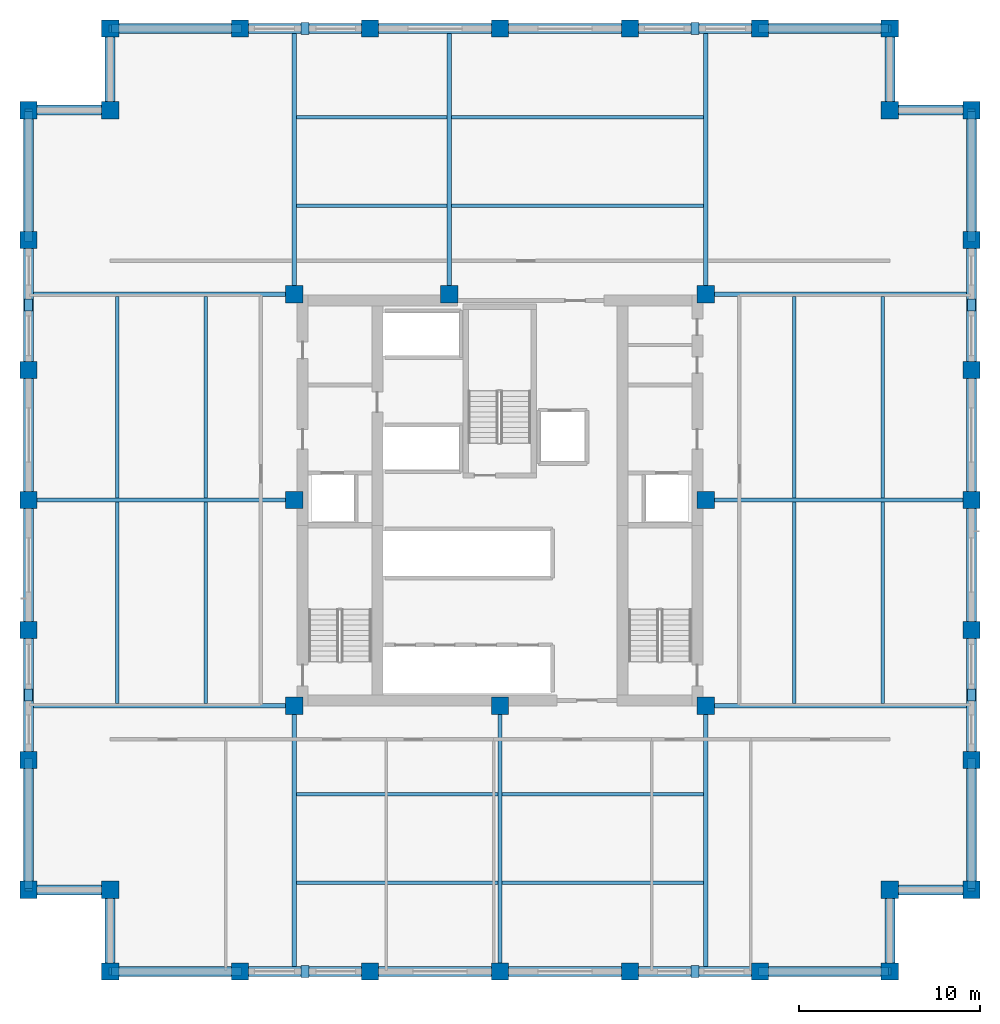
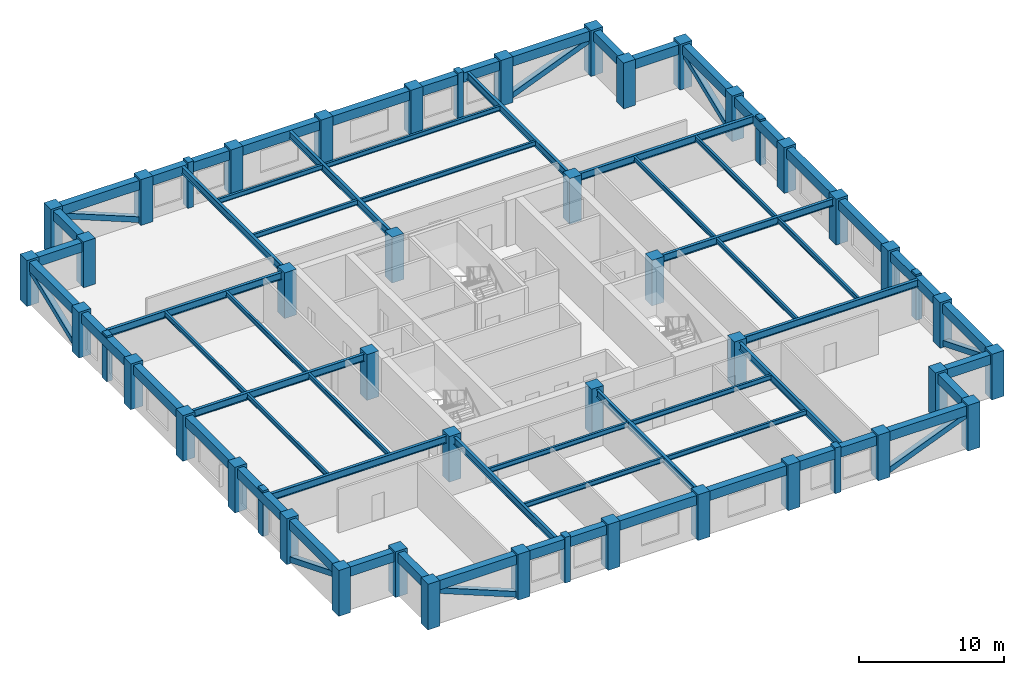
# One storey, part 1 of 9: 60 beams, 40 columns, 16 members.
"""IFC4 building model written with IfcOpenShell, lengths in metres."""

from ifc_helpers import new_model, si_unit, direction, frame, origin, origin_2d, place, context, subcontext, project, spatial, rectangle, hollow_rectangle, i_section, extrude, material, material_profile, profile_set, type_object, element, save


model = new_model("IFC4")

# Units and contexts
model_context = context("Model", 3, precision=1e-05, world=origin(), true_north=direction((0.0, 1.0)))
body_context = subcontext(model_context, "Body", "Model", "MODEL_VIEW")
ifc_project = project(units=[si_unit("LENGTHUNIT", "METRE"), si_unit("AREAUNIT", "SQUARE_METRE"), si_unit("VOLUMEUNIT", "CUBIC_METRE"), si_unit("PLANEANGLEUNIT", "RADIAN"), si_unit("MASSUNIT", "GRAM", prefix="KILO")], contexts=[model_context])

# Site, building, storey
site_placement = place(None, origin())
site = spatial("IfcSite", under=ifc_project, at=site_placement, CompositionType="ELEMENT")
building_placement = place(site_placement, origin())
building = spatial("IfcBuilding", under=site, at=building_placement, Name="Nhamokura Convention Tower", CompositionType="ELEMENT")
storey_placement = place(building_placement, frame((0.0, 0.0, 156.800048828125)))
storey = spatial("IfcBuildingStorey", under=building, at=storey_placement, Name="L38", CompositionType="ELEMENT", Elevation=156.800048828125)

# Columns
ifc_material_1 = material(Name="Concrete C60/75", Category="concrete")
ifc_material_profile_1 = material_profile(ifc_material_1, rectangle(XDim=0.949951171875, YDim=0.949951171875, at=origin_2d()))
ifc_profile_set_1 = profile_set([ifc_material_profile_1], Name="Concrete C60/75")
column_type = type_object("IfcColumnType", Name="TubeColumn_Z2_950", PredefinedType="COLUMN", material=ifc_profile_set_1)
for number, where, z_axis, x_axis, name in (
    (1, (20.64990234375, 20.64990234375, 0.0), (0.0, 0.0, 1.0), (1.0, 0.0, 0.0), "L38 Core Column CC-SW"),
    (2, (32.0, 20.64990234375, 0.0), (0.0, 0.0, 1.0), (1.0, 0.0, 0.0), "L38 Core Column CC-S"),
    (3, (43.35009765625, 20.64990234375, 0.0), (0.0, 0.0, 1.0), (1.0, 0.0, 0.0), "L38 Core Column CC-SE"),
    (4, (43.35009765625, 32.0, 0.0), (0.0, 0.0, 1.0), (1.0, 0.0, 0.0), "L38 Core Column CC-E"),
    (5, (43.35009765625, 43.35009765625, 0.0), (0.0, 0.0, 1.0), (1.0, 0.0, 0.0), "L38 Core Column CC-NE"),
    (6, (29.199951171875, 43.35009765625, 0.0), (0.0, 0.0, 1.0), (1.0, 0.0, 0.0), "L38 Core Column CC-N"),
    (7, (20.64990234375, 43.35009765625, 0.0), (0.0, 0.0, 1.0), (1.0, 0.0, 0.0), "L38 Core Column CC-NW"),
    (8, (20.64990234375, 32.0, 0.0), (0.0, 0.0, 1.0), (1.0, 0.0, 0.0), "L38 Core Column CC-W"),
    (9, (10.5, 6.0, 0.0), (0.0, 0.0, 1.0), (1.0, 0.0, 0.0), "L38 Perimeter Tube Column SW1"),
    (10, (10.5, 10.5, 0.0), (0.0, 0.0, 1.0), (1.0, 0.0, 0.0), "L38 Perimeter Tube Column SW0"),
    (11, (6.0, 10.5, 0.0), (0.0, 0.0, 1.0), (1.0, 0.0, 0.0), "L38 Perimeter Tube Column SW2"),
    (12, (53.5, 6.0, 0.0), (0.0, 0.0, 1.0), (1.0, 0.0, 0.0), "L38 Perimeter Tube Column SE1"),
    (13, (53.5, 10.5, 0.0), (0.0, 0.0, 1.0), (1.0, 0.0, 0.0), "L38 Perimeter Tube Column SE0"),
    (14, (58.0, 10.5, 0.0), (0.0, 0.0, 1.0), (1.0, 0.0, 0.0), "L38 Perimeter Tube Column SE2"),
    (15, (58.0, 53.5, 0.0), (0.0, 0.0, 1.0), (1.0, 0.0, 0.0), "L38 Perimeter Tube Column NE1"),
    (16, (53.5, 53.5, 0.0), (0.0, 0.0, 1.0), (1.0, 0.0, 0.0), "L38 Perimeter Tube Column NE0"),
    (17, (53.5, 58.0, 0.0), (0.0, 0.0, 1.0), (1.0, 0.0, 0.0), "L38 Perimeter Tube Column NE2"),
    (18, (10.5, 58.0, 0.0), (0.0, 0.0, 1.0), (1.0, 0.0, 0.0), "L38 Perimeter Tube Column NW1"),
    (19, (10.5, 53.5, 0.0), (0.0, 0.0, 1.0), (1.0, 0.0, 0.0), "L38 Perimeter Tube Column NW0"),
    (20, (6.0, 53.5, 0.0), (0.0, 0.0, 1.0), (1.0, 0.0, 0.0), "L38 Perimeter Tube Column NW2"),
    (21, (17.666748046875, 6.0, 0.0), (0.0, 0.0, 1.0), (1.0, 0.0, 0.0), "L38 Perimeter Tube Column S1"),
    (22, (17.666748046875, 58.0, 0.0), (0.0, 0.0, 1.0), (1.0, 0.0, 0.0), "L38 Perimeter Tube Column N1"),
    (23, (6.0, 17.666748046875, 0.0), (0.0, 0.0, 1.0), (1.0, 0.0, 0.0), "L38 Perimeter Tube Column W1"),
    (24, (58.0, 17.666748046875, 0.0), (0.0, 0.0, 1.0), (1.0, 0.0, 0.0), "L38 Perimeter Tube Column E1"),
    (25, (24.833251953125, 6.0, 0.0), (0.0, 0.0, 1.0), (1.0, 0.0, 0.0), "L38 Perimeter Tube Column S2"),
    (26, (24.833251953125, 58.0, 0.0), (0.0, 0.0, 1.0), (1.0, 0.0, 0.0), "L38 Perimeter Tube Column N2"),
    (27, (6.0, 24.833251953125, 0.0), (0.0, 0.0, 1.0), (1.0, 0.0, 0.0), "L38 Perimeter Tube Column W2"),
    (28, (58.0, 24.833251953125, 0.0), (0.0, 0.0, 1.0), (1.0, 0.0, 0.0), "L38 Perimeter Tube Column E2"),
    (29, (32.0, 6.0, 0.0), (0.0, 0.0, 1.0), (1.0, 0.0, 0.0), "L38 Perimeter Tube Column S3"),
    (30, (32.0, 58.0, 0.0), (0.0, 0.0, 1.0), (1.0, 0.0, 0.0), "L38 Perimeter Tube Column N3"),
    (31, (6.0, 32.0, 0.0), (0.0, 0.0, 1.0), (1.0, 0.0, 0.0), "L38 Perimeter Tube Column W3"),
    (32, (58.0, 32.0, 0.0), (0.0, 0.0, 1.0), (1.0, 0.0, 0.0), "L38 Perimeter Tube Column E3"),
    (33, (39.166748046875, 6.0, 0.0), (0.0, 0.0, 1.0), (1.0, 0.0, 0.0), "L38 Perimeter Tube Column S4"),
    (34, (39.166748046875, 58.0, 0.0), (0.0, 0.0, 1.0), (1.0, 0.0, 0.0), "L38 Perimeter Tube Column N4"),
    (35, (6.0, 39.166748046875, 0.0), (0.0, 0.0, 1.0), (1.0, 0.0, 0.0), "L38 Perimeter Tube Column W4"),
    (36, (58.0, 39.166748046875, 0.0), (0.0, 0.0, 1.0), (1.0, 0.0, 0.0), "L38 Perimeter Tube Column E4"),
    (37, (46.333251953125, 6.0, 0.0), (0.0, 0.0, 1.0), (1.0, 0.0, 0.0), "L38 Perimeter Tube Column S5"),
    (38, (46.333251953125, 58.0, 0.0), (0.0, 0.0, 1.0), (1.0, 0.0, 0.0), "L38 Perimeter Tube Column N5"),
    (39, (6.0, 46.333251953125, 0.0), (0.0, 0.0, 1.0), (1.0, 0.0, 0.0), "L38 Perimeter Tube Column W5"),
    (40, (58.0, 46.333251953125, 0.0), (0.0, 0.0, 1.0), (1.0, 0.0, 0.0), "L38 Perimeter Tube Column E5"),
):
    element("IfcColumn", number, at=place(storey_placement, frame(where, z_axis=z_axis, x_axis=x_axis)), inside=storey, type_object=column_type, Name=name, PredefinedType="COLUMN", context=body_context, shape_type="SweptSolid", body=[
        extrude(rectangle(XDim=0.949951171875, YDim=0.949951171875, at=origin_2d()), origin(), (0.0, 0.0, 1.0), 3.849853515625),
    ])

# Members
ifc_material_2 = material(Name="Bronze-pigmented precast concrete C45/55", Category="concrete")
ifc_material_profile_2 = material_profile(ifc_material_2, rectangle(XDim=0.449951171875, YDim=0.64990234375, at=origin_2d()))
ifc_profile_set_2 = profile_set([ifc_material_profile_2], Name="Bronze-pigmented precast concrete C45/55")
member_type_1 = type_object("IfcMemberType", Name="BronzePilaster_650", PredefinedType="USERDEFINED", material=ifc_profile_set_2)
for number, where, z_axis, x_axis, name in (
    (41, (21.25, 6.0, 0.0), (0.0, 0.0, 1.0), (1.0, 0.0, 0.0), "L38 Engaged Frame Pilaster SOUTH 1"),
    (42, (42.75, 6.0, 0.0), (0.0, 0.0, 1.0), (1.0, 0.0, 0.0), "L38 Engaged Frame Pilaster SOUTH 4"),
    (43, (21.25, 58.0, 0.0), (0.0, 0.0, 1.0), (1.0, 0.0, 0.0), "L38 Engaged Frame Pilaster NORTH 1"),
    (44, (42.75, 58.0, 0.0), (0.0, 0.0, 1.0), (1.0, 0.0, 0.0), "L38 Engaged Frame Pilaster NORTH 4"),
    (45, (6.0, 21.25, 0.0), (0.0, 0.0, 1.0), (1.0, 0.0, 0.0), "L38 Engaged Frame Pilaster WEST 1"),
    (46, (6.0, 42.75, 0.0), (0.0, 0.0, 1.0), (1.0, 0.0, 0.0), "L38 Engaged Frame Pilaster WEST 4"),
    (47, (58.0, 21.25, 0.0), (0.0, 0.0, 1.0), (1.0, 0.0, 0.0), "L38 Engaged Frame Pilaster EAST 1"),
    (48, (58.0, 42.75, 0.0), (0.0, 0.0, 1.0), (1.0, 0.0, 0.0), "L38 Engaged Frame Pilaster EAST 4"),
):
    element("IfcMember", number, at=place(storey_placement, frame(where, z_axis=z_axis, x_axis=x_axis)), inside=storey, type_object=member_type_1, Name=name, ObjectType="PILASTER_TRIM", PredefinedType="USERDEFINED", context=body_context, shape_type="SweptSolid", body=[
        extrude(rectangle(XDim=0.449951171875, YDim=0.64990234375, at=origin_2d()), origin(), (0.0, 0.0, 1.0), 3.849853515625),
    ])

# Beams
ifc_material_3 = material(Name="Steel ASTM A992 Gr 50", Category="steel")
ifc_material_profile_3 = material_profile(ifc_material_3, i_section(OverallWidth=0.177001953125, OverallDepth=0.403076171875, WebThickness=0.007568359375, FlangeThickness=0.010986328125, at=origin_2d()))
ifc_profile_set_3 = profile_set([ifc_material_profile_3], Name="Steel ASTM A992 Gr 50")
beam_type_1 = type_object("IfcBeamType", Name="FloorJoist_W410X53", PredefinedType="JOIST", material=ifc_profile_set_3)
for number, where, z_axis, x_axis, name in (
    (49, (20.761962890625, 10.88330078125, 3.4833984375), (1.0, 0.0, 0.0), (0.0, 1.0, 0.0), "L38 Composite Floor Joist S1A"),
    (50, (32.112060546875, 10.88330078125, 3.4833984375), (1.0, 0.0, 0.0), (0.0, 1.0, 0.0), "L38 Composite Floor Joist S1B"),
    (51, (20.761962890625, 15.7666015625, 3.4833984375), (1.0, 0.0, 0.0), (0.0, 1.0, 0.0), "L38 Composite Floor Joist S2A"),
    (52, (32.112060546875, 15.7666015625, 3.4833984375), (1.0, 0.0, 0.0), (0.0, 1.0, 0.0), "L38 Composite Floor Joist S2B"),
):
    element("IfcBeam", number, at=place(storey_placement, frame(where, z_axis=z_axis, x_axis=x_axis)), inside=storey, type_object=beam_type_1, Name=name, PredefinedType="JOIST", context=body_context, shape_type="SweptSolid", body=[
        extrude(i_section(OverallWidth=0.177001953125, OverallDepth=0.403076171875, WebThickness=0.007568359375, FlangeThickness=0.010986328125, at=origin_2d()), origin(), (0.0, 0.0, 1.0), 11.1259765625),
    ])
beam_1_placement = place(storey_placement, frame((20.761962890625, 48.2333984375, 3.4833984375), z_axis=(1.0, 0.0, 0.0), x_axis=(0.0, 1.0, 0.0)))
element("IfcBeam", 53, at=beam_1_placement, inside=storey, type_object=beam_type_1, Name="L38 Composite Floor Joist N1A", PredefinedType="JOIST", context=body_context, shape_type="SweptSolid", body=[
    extrude(i_section(OverallWidth=0.177001953125, OverallDepth=0.403076171875, WebThickness=0.007568359375, FlangeThickness=0.010986328125, at=origin_2d()), origin(), (0.0, 0.0, 1.0), 8.325927734375),
])
beam_2_placement = place(storey_placement, frame((29.31201171875, 48.2333984375, 3.4833984375), z_axis=(1.0, 0.0, 0.0), x_axis=(0.0, 1.0, 0.0)))
element("IfcBeam", 54, at=beam_2_placement, inside=storey, type_object=beam_type_1, Name="L38 Composite Floor Joist N1B", PredefinedType="JOIST", context=body_context, shape_type="SweptSolid", body=[
    extrude(i_section(OverallWidth=0.177001953125, OverallDepth=0.403076171875, WebThickness=0.007568359375, FlangeThickness=0.010986328125, at=origin_2d()), origin(), (0.0, 0.0, 1.0), 13.926025390625),
])
beam_3_placement = place(storey_placement, frame((20.761962890625, 53.11669921875, 3.4833984375), z_axis=(1.0, 0.0, 0.0), x_axis=(0.0, 1.0, 0.0)))
element("IfcBeam", 55, at=beam_3_placement, inside=storey, type_object=beam_type_1, Name="L38 Composite Floor Joist N2A", PredefinedType="JOIST", context=body_context, shape_type="SweptSolid", body=[
    extrude(i_section(OverallWidth=0.177001953125, OverallDepth=0.403076171875, WebThickness=0.007568359375, FlangeThickness=0.010986328125, at=origin_2d()), origin(), (0.0, 0.0, 1.0), 8.325927734375),
])
beam_4_placement = place(storey_placement, frame((29.31201171875, 53.11669921875, 3.4833984375), z_axis=(1.0, 0.0, 0.0), x_axis=(0.0, 1.0, 0.0)))
element("IfcBeam", 56, at=beam_4_placement, inside=storey, type_object=beam_type_1, Name="L38 Composite Floor Joist N2B", PredefinedType="JOIST", context=body_context, shape_type="SweptSolid", body=[
    extrude(i_section(OverallWidth=0.177001953125, OverallDepth=0.403076171875, WebThickness=0.007568359375, FlangeThickness=0.010986328125, at=origin_2d()), origin(), (0.0, 0.0, 1.0), 13.926025390625),
])
for number, where, z_axis, x_axis, name in (
    (57, (10.88330078125, 20.761962890625, 3.4833984375), (0.0, 1.0, 0.0), (-1.0, 0.0, 0.0), "L38 Composite Floor Joist W1A"),
    (58, (10.88330078125, 32.112060546875, 3.4833984375), (0.0, 1.0, 0.0), (-1.0, 0.0, 0.0), "L38 Composite Floor Joist W1B"),
    (59, (15.7666015625, 20.761962890625, 3.4833984375), (0.0, 1.0, 0.0), (-1.0, 0.0, 0.0), "L38 Composite Floor Joist W2A"),
    (60, (15.7666015625, 32.112060546875, 3.4833984375), (0.0, 1.0, 0.0), (-1.0, 0.0, 0.0), "L38 Composite Floor Joist W2B"),
    (61, (48.2333984375, 20.761962890625, 3.4833984375), (0.0, 1.0, 0.0), (-1.0, 0.0, 0.0), "L38 Composite Floor Joist E1A"),
    (62, (48.2333984375, 32.112060546875, 3.4833984375), (0.0, 1.0, 0.0), (-1.0, 0.0, 0.0), "L38 Composite Floor Joist E1B"),
    (63, (53.11669921875, 20.761962890625, 3.4833984375), (0.0, 1.0, 0.0), (-1.0, 0.0, 0.0), "L38 Composite Floor Joist E2A"),
    (64, (53.11669921875, 32.112060546875, 3.4833984375), (0.0, 1.0, 0.0), (-1.0, 0.0, 0.0), "L38 Composite Floor Joist E2B"),
):
    element("IfcBeam", number, at=place(storey_placement, frame(where, z_axis=z_axis, x_axis=x_axis)), inside=storey, type_object=beam_type_1, Name=name, PredefinedType="JOIST", context=body_context, shape_type="SweptSolid", body=[
        extrude(i_section(OverallWidth=0.177001953125, OverallDepth=0.403076171875, WebThickness=0.007568359375, FlangeThickness=0.010986328125, at=origin_2d()), origin(), (0.0, 0.0, 1.0), 11.1259765625),
    ])
ifc_material_4 = material(Name="Steel ASTM A992 Gr 50", Category="steel")
ifc_material_profile_4 = material_profile(ifc_material_4, i_section(OverallWidth=0.22802734375, OverallDepth=0.60791015625, WebThickness=0.01123046875, FlangeThickness=0.017333984375, at=origin_2d()))
ifc_profile_set_4 = profile_set([ifc_material_profile_4], Name="Steel ASTM A992 Gr 50")
beam_type_2 = type_object("IfcBeamType", Name="PrimaryGirder_W610X113", PredefinedType="BEAM", material=ifc_profile_set_4)
for number, where, z_axis, x_axis, name in (
    (65, (20.64990234375, 6.0, 3.380859375), (0.0, 1.0, 0.0), (-1.0, 0.0, 0.0), "L38 Primary Floor Girder PG-S1"),
    (66, (32.0, 6.0, 3.380859375), (0.0, 1.0, 0.0), (-1.0, 0.0, 0.0), "L38 Primary Floor Girder PG-S2"),
    (67, (43.35009765625, 6.0, 3.380859375), (0.0, 1.0, 0.0), (-1.0, 0.0, 0.0), "L38 Primary Floor Girder PG-S3"),
    (68, (20.64990234375, 43.35009765625, 3.380859375), (0.0, 1.0, 0.0), (-1.0, 0.0, 0.0), "L38 Primary Floor Girder PG-N1"),
    (69, (29.199951171875, 43.35009765625, 3.380859375), (0.0, 1.0, 0.0), (-1.0, 0.0, 0.0), "L38 Primary Floor Girder PG-N2"),
    (70, (43.35009765625, 43.35009765625, 3.380859375), (0.0, 1.0, 0.0), (-1.0, 0.0, 0.0), "L38 Primary Floor Girder PG-N3"),
    (71, (6.0, 20.64990234375, 3.380859375), (1.0, 0.0, 0.0), (0.0, 1.0, 0.0), "L38 Primary Floor Girder PG-W1"),
    (72, (6.0, 32.0, 3.380859375), (1.0, 0.0, 0.0), (0.0, 1.0, 0.0), "L38 Primary Floor Girder PG-W2"),
    (73, (6.0, 43.35009765625, 3.380859375), (1.0, 0.0, 0.0), (0.0, 1.0, 0.0), "L38 Primary Floor Girder PG-W3"),
    (74, (43.35009765625, 20.64990234375, 3.380859375), (1.0, 0.0, 0.0), (0.0, 1.0, 0.0), "L38 Primary Floor Girder PG-E1"),
    (75, (43.35009765625, 32.0, 3.380859375), (1.0, 0.0, 0.0), (0.0, 1.0, 0.0), "L38 Primary Floor Girder PG-E2"),
    (76, (43.35009765625, 43.35009765625, 3.380859375), (1.0, 0.0, 0.0), (0.0, 1.0, 0.0), "L38 Primary Floor Girder PG-E3"),
):
    element("IfcBeam", number, at=place(storey_placement, frame(where, z_axis=z_axis, x_axis=x_axis)), inside=storey, type_object=beam_type_2, Name=name, PredefinedType="BEAM", context=body_context, shape_type="SweptSolid", body=[
        extrude(i_section(OverallWidth=0.22802734375, OverallDepth=0.60791015625, WebThickness=0.01123046875, FlangeThickness=0.017333984375, at=origin_2d()), origin(), (0.0, 0.0, 1.0), 14.64990234375),
    ])

# Members
ifc_material_5 = material(Name="Steel ASTM A572 Gr 50", Category="steel")
ifc_material_profile_5 = material_profile(ifc_material_5, hollow_rectangle(XDim=0.449951171875, YDim=0.449951171875, WallThickness=0.02197265625, at=origin_2d()))
ifc_profile_set_5 = profile_set([ifc_material_profile_5], Name="Steel ASTM A572 Gr 50")
member_type_2 = type_object("IfcMemberType", Name="TubeBrace_HSS450", PredefinedType="BRACE", material=ifc_profile_set_5)
for number, where, z_axis, x_axis, name in (
    (77, (17.666748046875, 6.0, 0.14990234375), (-0.927657166893, 0.0, 0.373432966826), (0.0, -1.0, 0.0), "L38 Perimeter Tube Brace SOUTH Bay 0"),
    (78, (46.333251953125, 6.0, 0.14990234375), (0.927657166893, 0.0, 0.373432966826), (0.0, 1.0, 0.0), "L38 Perimeter Tube Brace SOUTH Bay 5"),
    (79, (17.666748046875, 58.0, 0.14990234375), (-0.927657166893, 0.0, 0.373432966826), (0.0, -1.0, 0.0), "L38 Perimeter Tube Brace NORTH Bay 0"),
    (80, (46.333251953125, 58.0, 0.14990234375), (0.927657166893, 0.0, 0.373432966826), (0.0, 1.0, 0.0), "L38 Perimeter Tube Brace NORTH Bay 5"),
    (81, (6.0, 17.666748046875, 0.14990234375), (0.0, -0.927657166893, 0.373432966826), (1.0, 0.0, 0.0), "L38 Perimeter Tube Brace WEST Bay 0"),
    (82, (6.0, 46.333251953125, 0.14990234375), (0.0, 0.927657166893, 0.373432966826), (-1.0, 0.0, 0.0), "L38 Perimeter Tube Brace WEST Bay 5"),
    (83, (58.0, 17.666748046875, 0.14990234375), (0.0, -0.927657166893, 0.373432966826), (1.0, 0.0, 0.0), "L38 Perimeter Tube Brace EAST Bay 0"),
    (84, (58.0, 46.333251953125, 0.14990234375), (0.0, 0.927657166893, 0.373432966826), (-1.0, 0.0, 0.0), "L38 Perimeter Tube Brace EAST Bay 5"),
):
    element("IfcMember", number, at=place(storey_placement, frame(where, z_axis=z_axis, x_axis=x_axis)), inside=storey, type_object=member_type_2, Name=name, PredefinedType="BRACE", context=body_context, shape_type="SweptSolid", body=[
        extrude(hollow_rectangle(XDim=0.449951171875, YDim=0.449951171875, WallThickness=0.02197265625, at=origin_2d()), origin(), (0.0, 0.0, 1.0), 7.7255859375),
    ])

# Beams
ifc_material_6 = material(Name="Concrete C50/60", Category="concrete")
ifc_material_profile_6 = material_profile(ifc_material_6, rectangle(XDim=0.550048828125, YDim=0.800048828125, at=origin_2d()))
ifc_profile_set_6 = profile_set([ifc_material_profile_6], Name="Concrete C50/60")
beam_type_3 = type_object("IfcBeamType", Name="TubeSpandrel_800", PredefinedType="SPANDREL", material=ifc_profile_set_6)
beam_5_placement = place(storey_placement, frame((10.5, 6.0, 3.284912109375), z_axis=(1.0, 0.0, 0.0), x_axis=(0.0, 1.0, 0.0)))
element("IfcBeam", 85, at=beam_5_placement, inside=storey, type_object=beam_type_3, Name="L38 Perimeter Spandrel SOUTH 1", PredefinedType="SPANDREL", context=body_context, shape_type="SweptSolid", body=[
    extrude(rectangle(XDim=0.550048828125, YDim=0.800048828125, at=origin_2d()), origin(), (0.0, 0.0, 1.0), 7.166748046875),
])
beam_6_placement = place(storey_placement, frame((17.666748046875, 6.0, 3.284912109375), z_axis=(1.0, 0.0, 0.0), x_axis=(0.0, 1.0, 0.0)))
element("IfcBeam", 86, at=beam_6_placement, inside=storey, type_object=beam_type_3, Name="L38 Perimeter Spandrel SOUTH 2", PredefinedType="SPANDREL", context=body_context, shape_type="SweptSolid", body=[
    extrude(rectangle(XDim=0.550048828125, YDim=0.800048828125, at=origin_2d()), origin(), (0.0, 0.0, 1.0), 7.16650390625),
])
for number, where, z_axis, x_axis, name in (
    (87, (24.833251953125, 6.0, 3.284912109375), (1.0, 0.0, 0.0), (0.0, 1.0, 0.0), "L38 Perimeter Spandrel SOUTH 3"),
    (88, (32.0, 6.0, 3.284912109375), (1.0, 0.0, 0.0), (0.0, 1.0, 0.0), "L38 Perimeter Spandrel SOUTH 4"),
):
    element("IfcBeam", number, at=place(storey_placement, frame(where, z_axis=z_axis, x_axis=x_axis)), inside=storey, type_object=beam_type_3, Name=name, PredefinedType="SPANDREL", context=body_context, shape_type="SweptSolid", body=[
        extrude(rectangle(XDim=0.550048828125, YDim=0.800048828125, at=origin_2d()), origin(), (0.0, 0.0, 1.0), 7.166748046875),
    ])
beam_7_placement = place(storey_placement, frame((39.166748046875, 6.0, 3.284912109375), z_axis=(1.0, 0.0, 0.0), x_axis=(0.0, 1.0, 0.0)))
element("IfcBeam", 89, at=beam_7_placement, inside=storey, type_object=beam_type_3, Name="L38 Perimeter Spandrel SOUTH 5", PredefinedType="SPANDREL", context=body_context, shape_type="SweptSolid", body=[
    extrude(rectangle(XDim=0.550048828125, YDim=0.800048828125, at=origin_2d()), origin(), (0.0, 0.0, 1.0), 7.16650390625),
])
for number, where, z_axis, x_axis, name in (
    (90, (46.333251953125, 6.0, 3.284912109375), (1.0, 0.0, 0.0), (0.0, 1.0, 0.0), "L38 Perimeter Spandrel SOUTH 6"),
    (91, (10.5, 58.0, 3.284912109375), (1.0, 0.0, 0.0), (0.0, 1.0, 0.0), "L38 Perimeter Spandrel NORTH 1"),
):
    element("IfcBeam", number, at=place(storey_placement, frame(where, z_axis=z_axis, x_axis=x_axis)), inside=storey, type_object=beam_type_3, Name=name, PredefinedType="SPANDREL", context=body_context, shape_type="SweptSolid", body=[
        extrude(rectangle(XDim=0.550048828125, YDim=0.800048828125, at=origin_2d()), origin(), (0.0, 0.0, 1.0), 7.166748046875),
    ])
beam_8_placement = place(storey_placement, frame((17.666748046875, 58.0, 3.284912109375), z_axis=(1.0, 0.0, 0.0), x_axis=(0.0, 1.0, 0.0)))
element("IfcBeam", 92, at=beam_8_placement, inside=storey, type_object=beam_type_3, Name="L38 Perimeter Spandrel NORTH 2", PredefinedType="SPANDREL", context=body_context, shape_type="SweptSolid", body=[
    extrude(rectangle(XDim=0.550048828125, YDim=0.800048828125, at=origin_2d()), origin(), (0.0, 0.0, 1.0), 7.16650390625),
])
for number, where, z_axis, x_axis, name in (
    (93, (24.833251953125, 58.0, 3.284912109375), (1.0, 0.0, 0.0), (0.0, 1.0, 0.0), "L38 Perimeter Spandrel NORTH 3"),
    (94, (32.0, 58.0, 3.284912109375), (1.0, 0.0, 0.0), (0.0, 1.0, 0.0), "L38 Perimeter Spandrel NORTH 4"),
):
    element("IfcBeam", number, at=place(storey_placement, frame(where, z_axis=z_axis, x_axis=x_axis)), inside=storey, type_object=beam_type_3, Name=name, PredefinedType="SPANDREL", context=body_context, shape_type="SweptSolid", body=[
        extrude(rectangle(XDim=0.550048828125, YDim=0.800048828125, at=origin_2d()), origin(), (0.0, 0.0, 1.0), 7.166748046875),
    ])
beam_9_placement = place(storey_placement, frame((39.166748046875, 58.0, 3.284912109375), z_axis=(1.0, 0.0, 0.0), x_axis=(0.0, 1.0, 0.0)))
element("IfcBeam", 95, at=beam_9_placement, inside=storey, type_object=beam_type_3, Name="L38 Perimeter Spandrel NORTH 5", PredefinedType="SPANDREL", context=body_context, shape_type="SweptSolid", body=[
    extrude(rectangle(XDim=0.550048828125, YDim=0.800048828125, at=origin_2d()), origin(), (0.0, 0.0, 1.0), 7.16650390625),
])
for number, where, z_axis, x_axis, name in (
    (96, (46.333251953125, 58.0, 3.284912109375), (1.0, 0.0, 0.0), (0.0, 1.0, 0.0), "L38 Perimeter Spandrel NORTH 6"),
    (97, (6.0, 10.5, 3.284912109375), (0.0, 1.0, 0.0), (-1.0, 0.0, 0.0), "L38 Perimeter Spandrel WEST 1"),
):
    element("IfcBeam", number, at=place(storey_placement, frame(where, z_axis=z_axis, x_axis=x_axis)), inside=storey, type_object=beam_type_3, Name=name, PredefinedType="SPANDREL", context=body_context, shape_type="SweptSolid", body=[
        extrude(rectangle(XDim=0.550048828125, YDim=0.800048828125, at=origin_2d()), origin(), (0.0, 0.0, 1.0), 7.166748046875),
    ])
beam_10_placement = place(storey_placement, frame((6.0, 17.666748046875, 3.284912109375), z_axis=(0.0, 1.0, 0.0), x_axis=(-1.0, 0.0, 0.0)))
element("IfcBeam", 98, at=beam_10_placement, inside=storey, type_object=beam_type_3, Name="L38 Perimeter Spandrel WEST 2", PredefinedType="SPANDREL", context=body_context, shape_type="SweptSolid", body=[
    extrude(rectangle(XDim=0.550048828125, YDim=0.800048828125, at=origin_2d()), origin(), (0.0, 0.0, 1.0), 7.16650390625),
])
for number, where, z_axis, x_axis, name in (
    (99, (6.0, 24.833251953125, 3.284912109375), (0.0, 1.0, 0.0), (-1.0, 0.0, 0.0), "L38 Perimeter Spandrel WEST 3"),
    (100, (6.0, 32.0, 3.284912109375), (0.0, 1.0, 0.0), (-1.0, 0.0, 0.0), "L38 Perimeter Spandrel WEST 4"),
):
    element("IfcBeam", number, at=place(storey_placement, frame(where, z_axis=z_axis, x_axis=x_axis)), inside=storey, type_object=beam_type_3, Name=name, PredefinedType="SPANDREL", context=body_context, shape_type="SweptSolid", body=[
        extrude(rectangle(XDim=0.550048828125, YDim=0.800048828125, at=origin_2d()), origin(), (0.0, 0.0, 1.0), 7.166748046875),
    ])
beam_11_placement = place(storey_placement, frame((6.0, 39.166748046875, 3.284912109375), z_axis=(0.0, 1.0, 0.0), x_axis=(-1.0, 0.0, 0.0)))
element("IfcBeam", 101, at=beam_11_placement, inside=storey, type_object=beam_type_3, Name="L38 Perimeter Spandrel WEST 5", PredefinedType="SPANDREL", context=body_context, shape_type="SweptSolid", body=[
    extrude(rectangle(XDim=0.550048828125, YDim=0.800048828125, at=origin_2d()), origin(), (0.0, 0.0, 1.0), 7.16650390625),
])
for number, where, z_axis, x_axis, name in (
    (102, (6.0, 46.333251953125, 3.284912109375), (0.0, 1.0, 0.0), (-1.0, 0.0, 0.0), "L38 Perimeter Spandrel WEST 6"),
    (103, (58.0, 10.5, 3.284912109375), (0.0, 1.0, 0.0), (-1.0, 0.0, 0.0), "L38 Perimeter Spandrel EAST 1"),
):
    element("IfcBeam", number, at=place(storey_placement, frame(where, z_axis=z_axis, x_axis=x_axis)), inside=storey, type_object=beam_type_3, Name=name, PredefinedType="SPANDREL", context=body_context, shape_type="SweptSolid", body=[
        extrude(rectangle(XDim=0.550048828125, YDim=0.800048828125, at=origin_2d()), origin(), (0.0, 0.0, 1.0), 7.166748046875),
    ])
beam_12_placement = place(storey_placement, frame((58.0, 17.666748046875, 3.284912109375), z_axis=(0.0, 1.0, 0.0), x_axis=(-1.0, 0.0, 0.0)))
element("IfcBeam", 104, at=beam_12_placement, inside=storey, type_object=beam_type_3, Name="L38 Perimeter Spandrel EAST 2", PredefinedType="SPANDREL", context=body_context, shape_type="SweptSolid", body=[
    extrude(rectangle(XDim=0.550048828125, YDim=0.800048828125, at=origin_2d()), origin(), (0.0, 0.0, 1.0), 7.16650390625),
])
for number, where, z_axis, x_axis, name in (
    (105, (58.0, 24.833251953125, 3.284912109375), (0.0, 1.0, 0.0), (-1.0, 0.0, 0.0), "L38 Perimeter Spandrel EAST 3"),
    (106, (58.0, 32.0, 3.284912109375), (0.0, 1.0, 0.0), (-1.0, 0.0, 0.0), "L38 Perimeter Spandrel EAST 4"),
):
    element("IfcBeam", number, at=place(storey_placement, frame(where, z_axis=z_axis, x_axis=x_axis)), inside=storey, type_object=beam_type_3, Name=name, PredefinedType="SPANDREL", context=body_context, shape_type="SweptSolid", body=[
        extrude(rectangle(XDim=0.550048828125, YDim=0.800048828125, at=origin_2d()), origin(), (0.0, 0.0, 1.0), 7.166748046875),
    ])
beam_13_placement = place(storey_placement, frame((58.0, 39.166748046875, 3.284912109375), z_axis=(0.0, 1.0, 0.0), x_axis=(-1.0, 0.0, 0.0)))
element("IfcBeam", 107, at=beam_13_placement, inside=storey, type_object=beam_type_3, Name="L38 Perimeter Spandrel EAST 5", PredefinedType="SPANDREL", context=body_context, shape_type="SweptSolid", body=[
    extrude(rectangle(XDim=0.550048828125, YDim=0.800048828125, at=origin_2d()), origin(), (0.0, 0.0, 1.0), 7.16650390625),
])
beam_14_placement = place(storey_placement, frame((58.0, 46.333251953125, 3.284912109375), z_axis=(0.0, 1.0, 0.0), x_axis=(-1.0, 0.0, 0.0)))
element("IfcBeam", 108, at=beam_14_placement, inside=storey, type_object=beam_type_3, Name="L38 Perimeter Spandrel EAST 6", PredefinedType="SPANDREL", context=body_context, shape_type="SweptSolid", body=[
    extrude(rectangle(XDim=0.550048828125, YDim=0.800048828125, at=origin_2d()), origin(), (0.0, 0.0, 1.0), 7.166748046875),
])
for number, where, z_axis, x_axis, name in (
    (109, (10.5, 6.0, 3.284912109375), (0.0, 1.0, 0.0), (-1.0, 0.0, 0.0), "L38 Notch Spandrel SW1"),
    (110, (10.5, 10.5, 3.284912109375), (-1.0, 0.0, 0.0), (0.0, -1.0, 0.0), "L38 Notch Spandrel SW2"),
    (111, (53.5, 6.0, 3.284912109375), (0.0, 1.0, 0.0), (-1.0, 0.0, 0.0), "L38 Notch Spandrel SE1"),
    (112, (53.5, 10.5, 3.284912109375), (1.0, 0.0, 0.0), (0.0, 1.0, 0.0), "L38 Notch Spandrel SE2"),
    (113, (58.0, 53.5, 3.284912109375), (-1.0, 0.0, 0.0), (0.0, -1.0, 0.0), "L38 Notch Spandrel NE1"),
    (114, (53.5, 53.5, 3.284912109375), (0.0, 1.0, 0.0), (-1.0, 0.0, 0.0), "L38 Notch Spandrel NE2"),
    (115, (10.5, 58.0, 3.284912109375), (0.0, -1.0, 0.0), (1.0, 0.0, 0.0), "L38 Notch Spandrel NW1"),
    (116, (10.5, 53.5, 3.284912109375), (-1.0, 0.0, 0.0), (0.0, -1.0, 0.0), "L38 Notch Spandrel NW2"),
):
    element("IfcBeam", number, at=place(storey_placement, frame(where, z_axis=z_axis, x_axis=x_axis)), inside=storey, type_object=beam_type_3, Name=name, PredefinedType="SPANDREL", context=body_context, shape_type="SweptSolid", body=[
        extrude(rectangle(XDim=0.550048828125, YDim=0.800048828125, at=origin_2d()), origin(), (0.0, 0.0, 1.0), 4.5),
    ])

save(model, "model.ifc")
